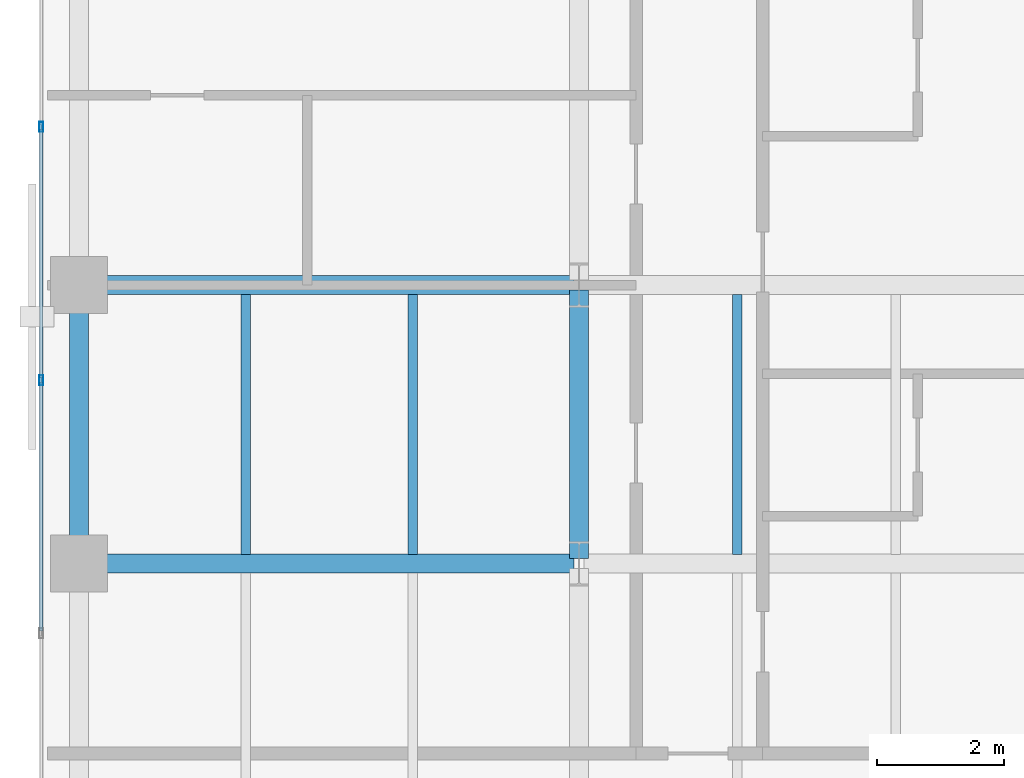
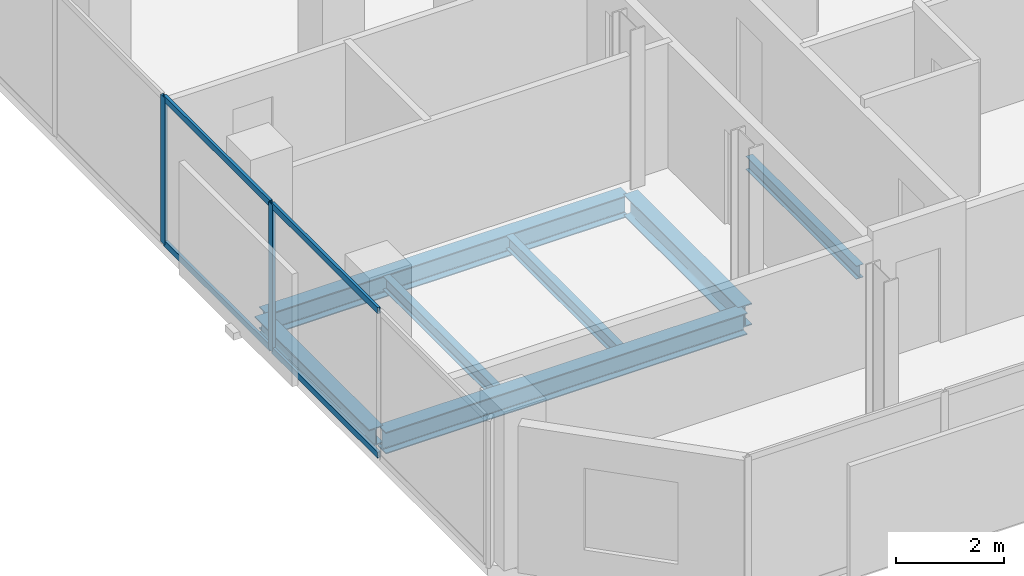
# One storey, part 5 of 34: 7 beams, 6 members, 1 element without a shape of its own.
"""IFC4 building model written with IfcOpenShell, lengths in metres."""

from ifc_helpers import new_model, si_unit, direction, frame, origin, origin_2d, place, context, subcontext, project, spatial, hollow_rectangle, i_section, extrude, material, layer, layer_set, material_profile, profile_set, type_object, element, aggregate, save


model = new_model("IFC4")

# Units and contexts
model_context = context("Model", 3, precision=1e-05, world=origin(), true_north=direction((0.0, 1.0)))
body_context = subcontext(model_context, "Body", "Model", "MODEL_VIEW")
ifc_project = project(units=[si_unit("LENGTHUNIT", "METRE"), si_unit("AREAUNIT", "SQUARE_METRE"), si_unit("VOLUMEUNIT", "CUBIC_METRE"), si_unit("PLANEANGLEUNIT", "RADIAN"), si_unit("MASSUNIT", "GRAM", prefix="KILO")], contexts=[model_context])

# Site, building, storey
site_placement = place(None, origin())
site = spatial("IfcSite", under=ifc_project, at=site_placement, CompositionType="ELEMENT")
building_placement = place(site_placement, origin())
building = spatial("IfcBuilding", under=site, at=building_placement, Name="Catumbela Crestline Tower", CompositionType="ELEMENT")
storey_placement = place(building_placement, frame((0.0, 0.0, 93.6)))
storey = spatial("IfcBuildingStorey", under=building, at=storey_placement, Name="L23", CompositionType="ELEMENT", Elevation=93.6)

# Beams
ifc_material_1 = material(Name="Structural steel S355J2", Category="steel")
ifc_material_profile_1 = material_profile(ifc_material_1, i_section(OverallWidth=0.3, OverallDepth=0.49, WebThickness=0.012, FlangeThickness=0.023, FilletRadius=0.027, at=origin_2d()), Name="HEA 500")
ifc_profile_set_1 = profile_set([ifc_material_profile_1], Name="Structural steel S355J2")
beam_type_1 = type_object("IfcBeamType", Name="BG-HEA500", PredefinedType="BEAM", material=ifc_profile_set_1)
for number, where, z_axis, x_axis, name in (
    (1, (0.68, 13.6, -0.505), (1.0, 0.0, 0.0), (0.0, 1.0, 0.0), "L23 Beam BM-L23-WEW46"),
    (2, (0.68, 18.0, -0.505), (1.0, 0.0, 0.0), (0.0, 1.0, 0.0), "L23 Beam BM-L23-WEW49"),
):
    element("IfcBeam", number, at=place(storey_placement, frame(where, z_axis=z_axis, x_axis=x_axis)), inside=storey, type_object=beam_type_1, Name=name, PredefinedType="BEAM", context=body_context, shape_type="SweptSolid", body=[
        extrude(i_section(OverallWidth=0.3, OverallDepth=0.49, WebThickness=0.012, FlangeThickness=0.023, FilletRadius=0.027, at=origin_2d()), origin(), (0.0, 0.0, 1.0), 7.74),
    ])
beam_1_placement = place(storey_placement, frame((8.5, 13.68, -0.505), z_axis=(0.0, 1.0, 0.0), x_axis=(-1.0, 0.0, 0.0)))
element("IfcBeam", 3, at=beam_1_placement, inside=storey, type_object=beam_type_1, Name="L23 Beam BM-L23-WNS56", PredefinedType="BEAM", context=body_context, shape_type="SweptSolid", body=[
    extrude(i_section(OverallWidth=0.3, OverallDepth=0.49, WebThickness=0.012, FlangeThickness=0.023, FilletRadius=0.027, at=origin_2d()), origin(), (0.0, 0.0, 1.0), 4.24),
])
ifc_material_profile_2 = material_profile(ifc_material_1, i_section(OverallWidth=0.15, OverallDepth=0.3, WebThickness=0.0071, FlangeThickness=0.0107, FilletRadius=0.015, at=origin_2d()), Name="IPE 300")
ifc_profile_set_2 = profile_set([ifc_material_profile_2], Name="Structural steel S355J2")
beam_type_2 = type_object("IfcBeamType", Name="BJ-IPE300", PredefinedType="JOIST", material=ifc_profile_set_2)
for number, where, z_axis, x_axis, name in (
    (4, (3.233, 13.747, -0.41), (0.0, 1.0, 0.0), (-1.0, 0.0, 0.0), "L23 Joist JS-L23-WG69"),
    (5, (5.867, 13.747, -0.41), (0.0, 1.0, 0.0), (-1.0, 0.0, 0.0), "L23 Joist JS-L23-WG70"),
    (6, (11.0, 13.747, -0.41), (0.0, 1.0, 0.0), (-1.0, 0.0, 0.0), "L23 Joist JS-L23-WG71"),
):
    element("IfcBeam", number, at=place(storey_placement, frame(where, z_axis=z_axis, x_axis=x_axis)), inside=storey, type_object=beam_type_2, Name=name, PredefinedType="JOIST", context=body_context, shape_type="SweptSolid", body=[
        extrude(i_section(OverallWidth=0.15, OverallDepth=0.3, WebThickness=0.0071, FlangeThickness=0.0107, FilletRadius=0.015, at=origin_2d()), origin(), (0.0, 0.0, 1.0), 4.106),
    ])

# Curtain wall, members
ifc_material_2 = material(Name="Aluminium alloy AW-6060-T66", Category="aluminium")
ifc_layer = layer(ifc_material_2, 0.18, Name="Aluminium alloy AW-6060-T66")
ifc_layer_set = layer_set([ifc_layer], Name="Aluminium alloy AW-6060-T66")
curtain_wall_type = type_object("IfcCurtainWallType", Name="CWU-Z2", PredefinedType="USERDEFINED", material=ifc_layer_set)
curtain_wall_placement = place(storey_placement, origin())
curtain_wall = element("IfcCurtainWall", 7, at=curtain_wall_placement, inside=storey, type_object=curtain_wall_type, Name="L23 Unitised Curtain Wall CW-L23-E9S1", ObjectType="UNITISED", PredefinedType="USERDEFINED")
ifc_material_profile_3 = material_profile(ifc_material_2, hollow_rectangle(XDim=0.06, YDim=0.16, WallThickness=0.004, at=origin_2d()), Name="ALU 160x60x4")
ifc_profile_set_3 = profile_set([ifc_material_profile_3], Name="Aluminium alloy AW-6060-T66")
member_type_1 = type_object("IfcMemberType", Name="MUL-160X60", PredefinedType="MULLION", material=ifc_profile_set_3)
member_1_placement = place(storey_placement, frame((0.0, 20.5, 0.0), z_axis=(0.0, 0.0, 1.0), x_axis=(1.0, 0.0, 0.0)))
member_1 = element("IfcMember", 8, at=member_1_placement, type_object=member_type_1, Name="CWU-Z2 mullion 7", PredefinedType="MULLION", context=body_context, shape_type="SweptSolid", body=[
    extrude(hollow_rectangle(XDim=0.06, YDim=0.16, WallThickness=0.004, at=origin_2d()), origin(), (0.0, 0.0, 1.0), 3.33),
])
member_2_placement = place(storey_placement, frame((0.0, 16.5, 0.0), z_axis=(0.0, 0.0, 1.0), x_axis=(1.0, 0.0, 0.0)))
member_2 = element("IfcMember", 9, at=member_2_placement, type_object=member_type_1, Name="CWU-Z2 mullion 8", PredefinedType="MULLION", context=body_context, shape_type="SweptSolid", body=[
    extrude(hollow_rectangle(XDim=0.06, YDim=0.16, WallThickness=0.004, at=origin_2d()), origin(), (0.0, 0.0, 1.0), 3.33),
])

# Beam
ifc_material_profile_4 = material_profile(ifc_material_1, i_section(OverallWidth=0.3, OverallDepth=0.4, WebThickness=0.0135, FlangeThickness=0.024, FilletRadius=0.027, at=origin_2d()), Name="HEB 400")
ifc_profile_set_4 = profile_set([ifc_material_profile_4], Name="Structural steel S355J2")
beam_type_3 = type_object("IfcBeamType", Name="BS-HEB400", PredefinedType="SPANDREL", material=ifc_profile_set_4)
beam_2_placement = place(storey_placement, frame((0.6, 13.68, -0.46), z_axis=(0.0, 1.0, 0.0), x_axis=(-1.0, 0.0, 0.0)))
element("IfcBeam", 10, at=beam_2_placement, inside=storey, type_object=beam_type_3, Name="L23 Spandrel SP-L23-WNS53", PredefinedType="SPANDREL", context=body_context, shape_type="SweptSolid", body=[
    extrude(i_section(OverallWidth=0.3, OverallDepth=0.4, WebThickness=0.0135, FlangeThickness=0.024, FilletRadius=0.027, at=origin_2d()), origin(), (0.0, 0.0, 1.0), 4.24),
])

# Member
ifc_material_profile_5 = material_profile(ifc_material_2, hollow_rectangle(XDim=0.06, YDim=0.14, WallThickness=0.004, at=origin_2d()), Name="ALU 140x60x4")
ifc_profile_set_5 = profile_set([ifc_material_profile_5], Name="Aluminium alloy AW-6060-T66")
member_type_2 = type_object("IfcMemberType", Name="TRN-140X60", PredefinedType="USERDEFINED", material=ifc_profile_set_5)
member_3_placement = place(storey_placement, frame((0.0, 20.4675, 0.03), z_axis=(0.0, -1.0, 0.0), x_axis=(1.0, 0.0, 0.0)))
member_3 = element("IfcMember", 11, at=member_3_placement, type_object=member_type_2, Name="CWU-Z2 transom 7.1", ObjectType="TRANSOM", PredefinedType="USERDEFINED", context=body_context, shape_type="SweptSolid", body=[
    extrude(hollow_rectangle(XDim=0.06, YDim=0.14, WallThickness=0.004, at=origin_2d()), origin(), (0.0, 0.0, 1.0), 3.935),
])

member_4_placement = place(storey_placement, frame((0.0, 20.4675, 3.3), z_axis=(0.0, -1.0, 0.0), x_axis=(1.0, 0.0, 0.0)))
member_4 = element("IfcMember", 12, at=member_4_placement, type_object=member_type_2, Name="CWU-Z2 transom 7.2", ObjectType="TRANSOM", PredefinedType="USERDEFINED", context=body_context, shape_type="SweptSolid", body=[
    extrude(hollow_rectangle(XDim=0.06, YDim=0.14, WallThickness=0.004, at=origin_2d()), origin(), (0.0, 0.0, 1.0), 3.935),
])

member_5_placement = place(storey_placement, frame((0.0, 16.4675, 0.03), z_axis=(0.0, -1.0, 0.0), x_axis=(1.0, 0.0, 0.0)))
member_5 = element("IfcMember", 13, at=member_5_placement, type_object=member_type_2, Name="CWU-Z2 transom 8.1", ObjectType="TRANSOM", PredefinedType="USERDEFINED", context=body_context, shape_type="SweptSolid", body=[
    extrude(hollow_rectangle(XDim=0.06, YDim=0.14, WallThickness=0.004, at=origin_2d()), origin(), (0.0, 0.0, 1.0), 3.935),
])

member_6_placement = place(storey_placement, frame((0.0, 16.4675, 3.3), z_axis=(0.0, -1.0, 0.0), x_axis=(1.0, 0.0, 0.0)))
member_6 = element("IfcMember", 14, at=member_6_placement, type_object=member_type_2, Name="CWU-Z2 transom 8.2", ObjectType="TRANSOM", PredefinedType="USERDEFINED", context=body_context, shape_type="SweptSolid", body=[
    extrude(hollow_rectangle(XDim=0.06, YDim=0.14, WallThickness=0.004, at=origin_2d()), origin(), (0.0, 0.0, 1.0), 3.935),
])

aggregate(curtain_wall, [member_1, member_2, member_3, member_4, member_5, member_6])

save(model, "model.ifc")
